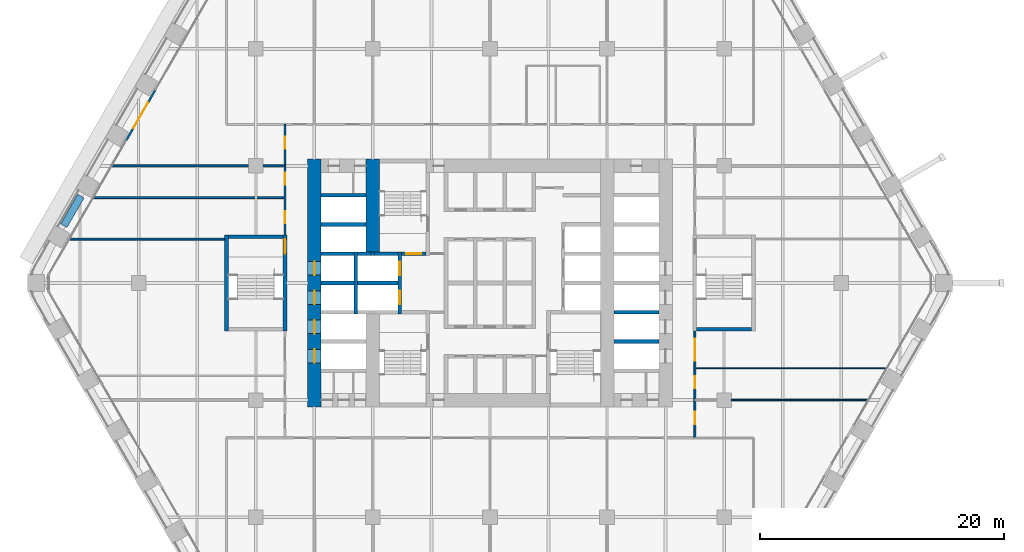
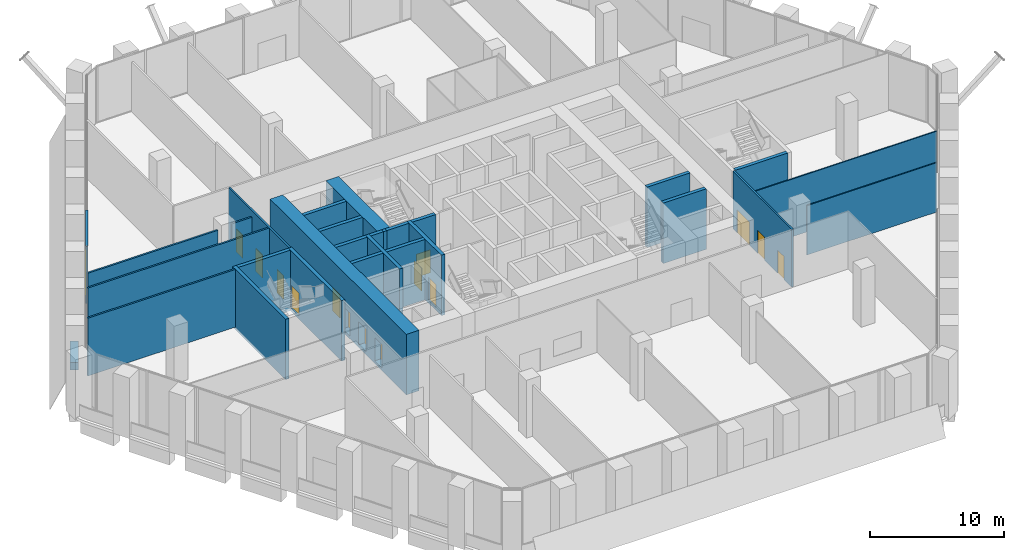
# One storey, part 19 of 29: 29 walls, 15 doors, 15 openings.
"""IFC4 building model written with IfcOpenShell, lengths in metres."""

from ifc_helpers import new_model, si_unit, direction, frame, frame_2d, origin, place, context, subcontext, project, spatial, rectangle, extrude, material, layer, layer_set, type_object, element, fill, save


model = new_model("IFC4")

# Units and contexts
model_context = context("Model", 3, precision=1e-05, world=origin(), true_north=direction((0.0, 1.0)))
body_context = subcontext(model_context, "Body", "Model", "MODEL_VIEW")
ifc_project = project(units=[si_unit("LENGTHUNIT", "METRE"), si_unit("AREAUNIT", "SQUARE_METRE"), si_unit("VOLUMEUNIT", "CUBIC_METRE"), si_unit("PLANEANGLEUNIT", "RADIAN"), si_unit("MASSUNIT", "GRAM", prefix="KILO")], contexts=[model_context])

# Site, building, storey
site_placement = place(None, origin())
site = spatial("IfcSite", under=ifc_project, at=site_placement, CompositionType="ELEMENT")
building_placement = place(site_placement, origin())
building = spatial("IfcBuilding", under=site, at=building_placement, Name="Kolab Exchange Tower", CompositionType="ELEMENT")
storey_placement = place(building_placement, frame((0.0, 0.0, 33.39990234375)))
storey = spatial("IfcBuildingStorey", under=building, at=storey_placement, Name="L06", CompositionType="ELEMENT", Elevation=33.39990234375)

# Wall, openings, doors
ifc_material_1 = material(Name="Concrete C80/95", Category="concrete")
ifc_layer_1 = layer(ifc_material_1, 1.10009765625)
ifc_layer_set_1 = layer_set([ifc_layer_1], Name="Concrete C80/95")
wall_type_1 = type_object("IfcWallType", Name="CORE WALL 1100 C80/95", PredefinedType="SHEAR", material=ifc_layer_set_1)
wall_1_placement = place(storey_placement, frame((-14.39990234375, -10.14990234375, -0.25), z_axis=(0.0, 0.0, 1.0), x_axis=(0.0, 1.0, 0.0)))
wall_1 = element("IfcWall", 1, at=wall_1_placement, inside=storey, type_object=wall_type_1, Name="wall/L06/core/057", PredefinedType="SHEAR", context=body_context, shape_type="SweptSolid", body=[
    extrude(rectangle(XDim=20.2998046875, YDim=1.10009765625, at=frame_2d((10.14990234375, 0.0))), origin(), (0.0, 0.0, 1.0), 5.5),
])
opening_1_placement = place(wall_1_placement, frame((3.60009765625, 0.0, 0.25)))
opening_1 = element("IfcOpeningElement", 2, at=opening_1_placement, cuts=wall_1, Name="Opening LD1-041", PredefinedType="OPENING", context=body_context, shape_type="SweptSolid", body=[
    extrude(rectangle(XDim=1.10009765625, YDim=2.10009765625, at=frame_2d((0.550048828125, 1.050048828125))), frame((0.0, 0.56005859375, 0.0), z_axis=(0.0, -1.0, 0.0), x_axis=(1.0, 0.0, 0.0)), (0.0, 0.0, 1.0), 1.1201171875),
])
opening_2_placement = place(wall_1_placement, frame((6.0, 0.0, 0.25)))
opening_2 = element("IfcOpeningElement", 3, at=opening_2_placement, cuts=wall_1, Name="Opening LD1-042", PredefinedType="OPENING", context=body_context, shape_type="SweptSolid", body=[
    extrude(rectangle(XDim=1.10009765625, YDim=2.10009765625, at=frame_2d((0.550048828125, 1.050048828125))), frame((0.0, 0.56005859375, 0.0), z_axis=(0.0, -1.0, 0.0), x_axis=(1.0, 0.0, 0.0)), (0.0, 0.0, 1.0), 1.1201171875),
])
opening_3_placement = place(wall_1_placement, frame((8.39990234375, 0.0, 0.25)))
opening_3 = element("IfcOpeningElement", 4, at=opening_3_placement, cuts=wall_1, Name="Opening LD1-043", PredefinedType="OPENING", context=body_context, shape_type="SweptSolid", body=[
    extrude(rectangle(XDim=1.10009765625, YDim=2.10009765625, at=frame_2d((0.550048828125, 1.050048828125))), frame((0.0, 0.56005859375, 0.0), z_axis=(0.0, -1.0, 0.0), x_axis=(1.0, 0.0, 0.0)), (0.0, 0.0, 1.0), 1.1201171875),
])
opening_4_placement = place(wall_1_placement, frame((10.800048828125, 0.0, 0.25)))
opening_4 = element("IfcOpeningElement", 5, at=opening_4_placement, cuts=wall_1, Name="Opening LD1-044", PredefinedType="OPENING", context=body_context, shape_type="SweptSolid", body=[
    extrude(rectangle(XDim=1.10009765625, YDim=2.10009765625, at=frame_2d((0.550048828125, 1.050048828125))), frame((0.0, 0.56005859375, 0.0), z_axis=(0.0, -1.0, 0.0), x_axis=(1.0, 0.0, 0.0)), (0.0, 0.0, 1.0), 1.1201171875),
])
ifc_material_2 = material(Name="Stainless steel 316", Category="steel")
door_type_1 = type_object("IfcDoorType", Name="LANDING DOOR 1100 PASSENGER", OperationType="DOUBLE_DOOR_SLIDING", PredefinedType="DOOR", material=ifc_material_2)
door_1_placement = place(opening_1_placement, origin())
door_1 = element("IfcDoor", 6, at=door_1_placement, inside=storey, type_object=door_type_1, Name="Landing door LR5", OperationType="DOUBLE_DOOR_SLIDING", OverallHeight=2.10009765625, OverallWidth=1.10009765625, PredefinedType="DOOR", context=body_context, shape_type="SweptSolid", body=[
    extrude(rectangle(XDim=1.10009765625, YDim=2.10009765625, at=frame_2d((0.550048828125, 1.050048828125))), frame((0.0, 0.02490234375, 0.0), z_axis=(0.0, -1.0, 0.0), x_axis=(1.0, 0.0, 0.0)), (0.0, 0.0, 1.0), 0.050048828125),
])
fill(opening_1, door_1)
door_2_placement = place(opening_2_placement, origin())
door_2 = element("IfcDoor", 7, at=door_2_placement, inside=storey, type_object=door_type_1, Name="Landing door LR6", OperationType="DOUBLE_DOOR_SLIDING", OverallHeight=2.10009765625, OverallWidth=1.10009765625, PredefinedType="DOOR", context=body_context, shape_type="SweptSolid", body=[
    extrude(rectangle(XDim=1.10009765625, YDim=2.10009765625, at=frame_2d((0.550048828125, 1.050048828125))), frame((0.0, 0.02490234375, 0.0), z_axis=(0.0, -1.0, 0.0), x_axis=(1.0, 0.0, 0.0)), (0.0, 0.0, 1.0), 0.050048828125),
])
fill(opening_2, door_2)
door_3_placement = place(opening_3_placement, origin())
door_3 = element("IfcDoor", 8, at=door_3_placement, inside=storey, type_object=door_type_1, Name="Landing door LR7", OperationType="DOUBLE_DOOR_SLIDING", OverallHeight=2.10009765625, OverallWidth=1.10009765625, PredefinedType="DOOR", context=body_context, shape_type="SweptSolid", body=[
    extrude(rectangle(XDim=1.10009765625, YDim=2.10009765625, at=frame_2d((0.550048828125, 1.050048828125))), frame((0.0, 0.02490234375, 0.0), z_axis=(0.0, -1.0, 0.0), x_axis=(1.0, 0.0, 0.0)), (0.0, 0.0, 1.0), 0.050048828125),
])
fill(opening_3, door_3)
door_4_placement = place(opening_4_placement, origin())
door_4 = element("IfcDoor", 9, at=door_4_placement, inside=storey, type_object=door_type_1, Name="Landing door LR8", OperationType="DOUBLE_DOOR_SLIDING", OverallHeight=2.10009765625, OverallWidth=1.10009765625, PredefinedType="DOOR", context=body_context, shape_type="SweptSolid", body=[
    extrude(rectangle(XDim=1.10009765625, YDim=2.10009765625, at=frame_2d((0.550048828125, 1.050048828125))), frame((0.0, 0.02490234375, 0.0), z_axis=(0.0, -1.0, 0.0), x_axis=(1.0, 0.0, 0.0)), (0.0, 0.0, 1.0), 0.050048828125),
])
fill(opening_4, door_4)

# Wall
wall_2_placement = place(storey_placement, frame((-9.60009765625, 2.550048828125, -0.25), z_axis=(0.0, 0.0, 1.0), x_axis=(0.0, 1.0, 0.0)))
element("IfcWall", 10, at=wall_2_placement, inside=storey, type_object=wall_type_1, Name="wall/L06/core/062", PredefinedType="SHEAR", context=body_context, shape_type="SweptSolid", body=[
    extrude(rectangle(XDim=7.599853515625, YDim=1.10009765625, at=frame_2d((3.7998046875, 0.0))), origin(), (0.0, 0.0, 1.0), 5.5),
])

# Wall, opening, door
ifc_material_3 = material(Name="Aluminium EN AW-6063 T6", Category="aluminium")
ifc_layer_2 = layer(ifc_material_3, 0.159912109375)
ifc_layer_set_2 = layer_set([ifc_layer_2], Name="Aluminium EN AW-6063 T6")
wall_type_2 = type_object("IfcWallType", Name="DOOR SURROUND WALL 160 ALUMINIUM FRAMED", PredefinedType="PARTITIONING", material=ifc_layer_set_2)
wall_3_placement = place(storey_placement, frame((-29.816650390625, 11.706787109375, 0.0), z_axis=(0.0, 0.0, 1.0), x_axis=(0.499978080042, 0.866038058908, 0.0)))
wall_3 = element("IfcWall", 11, at=wall_3_placement, inside=storey, type_object=wall_type_2, Name="Door surround wall", PredefinedType="PARTITIONING", context=body_context, shape_type="SweptSolid", body=[
    extrude(rectangle(XDim=4.739990234375, YDim=0.159912109375, at=frame_2d((2.3701171875, 0.0))), origin(), (0.0, 0.0, 1.0), 5.2001953125),
])
opening_5_placement = place(wall_3_placement, frame((1.169921875, 0.0, 0.0)))
opening_5 = element("IfcOpeningElement", 12, at=opening_5_placement, cuts=wall_3, Name="Opening GD1-028", PredefinedType="OPENING", context=body_context, shape_type="SweptSolid", body=[
    extrude(rectangle(XDim=2.39990234375, YDim=2.39990234375, at=frame_2d((1.199951171875, 1.199951171875))), frame((0.0, 0.08984375, 0.0), z_axis=(0.0, -1.0, 0.0), x_axis=(1.0, 0.0, 0.0)), (0.0, 0.0, 1.0), 0.179931640625),
])
door_type_2 = type_object("IfcDoorType", Name="LOGGIA SLIDING GLASS DOOR 2400 X 2400", OperationType="DOUBLE_DOOR_SINGLE_SWING", PredefinedType="DOOR", material=ifc_material_3)
door_5_placement = place(opening_5_placement, origin())
door_5 = element("IfcDoor", 13, at=door_5_placement, inside=storey, type_object=door_type_2, Name="Loggia door", OperationType="DOUBLE_DOOR_SLIDING", OverallHeight=2.39990234375, OverallWidth=2.39990234375, PredefinedType="DOOR", context=body_context, shape_type="SweptSolid", body=[
    extrude(rectangle(XDim=2.39990234375, YDim=2.39990234375, at=frame_2d((1.199951171875, 1.199951171875))), frame((0.0, 0.02490234375, 0.0), z_axis=(0.0, -1.0, 0.0), x_axis=(1.0, 0.0, 0.0)), (0.0, 0.0, 1.0), 0.050048828125),
])
fill(opening_5, door_5)

# Walls
ifc_material_4 = material(Name="Concrete C50/60", Category="concrete")
ifc_layer_3 = layer(ifc_material_4, 0.300048828125)
ifc_layer_set_3 = layer_set([ifc_layer_3], Name="Concrete C50/60")
wall_type_3 = type_object("IfcWallType", Name="LIFT SHAFT WALL 300 C50/60", PredefinedType="STANDARD", material=ifc_layer_set_3)
for number, where, z_axis, x_axis, name in (
    (14, (10.14990234375, -4.800048828125, -0.25), (0.0, 0.0, 1.0), (1.0, 0.0, 0.0), "wall/L06/core/011"),
    (15, (10.14990234375, -2.39990234375, -0.25), (0.0, 0.0, 1.0), (1.0, 0.0, 0.0), "wall/L06/core/023"),
):
    element("IfcWall", number, at=place(storey_placement, frame(where, z_axis=z_axis, x_axis=x_axis)), inside=storey, type_object=wall_type_3, Name=name, PredefinedType="STANDARD", context=body_context, shape_type="SweptSolid", body=[
        extrude(rectangle(XDim=3.7001953125, YDim=0.300048828125, at=frame_2d((1.85009765625, 0.0))), origin(), (0.0, 0.0, 1.0), 5.5),
    ])
wall_4_placement = place(storey_placement, frame((-13.85009765625, 0.0, -0.25), z_axis=(0.0, 0.0, 1.0), x_axis=(1.0, 0.0, 0.0)))
element("IfcWall", 16, at=wall_4_placement, inside=storey, type_object=wall_type_3, Name="wall/L06/core/024", PredefinedType="STANDARD", context=body_context, shape_type="SweptSolid", body=[
    extrude(rectangle(XDim=2.7001953125, YDim=0.300048828125, at=frame_2d((1.35009765625, 0.0))), origin(), (0.0, 0.0, 1.0), 5.5),
])
wall_5_placement = place(storey_placement, frame((-10.85009765625, 0.0, -0.25), z_axis=(0.0, 0.0, 1.0), x_axis=(1.0, 0.0, 0.0)))
element("IfcWall", 17, at=wall_5_placement, inside=storey, type_object=wall_type_3, Name="wall/L06/core/025", PredefinedType="STANDARD", context=body_context, shape_type="SweptSolid", body=[
    extrude(rectangle(XDim=3.300048828125, YDim=0.300048828125, at=frame_2d((1.64990234375, 0.0))), origin(), (0.0, 0.0, 1.0), 5.5),
])
wall_6_placement = place(storey_placement, frame((-13.85009765625, 2.39990234375, -0.25), z_axis=(0.0, 0.0, 1.0), x_axis=(1.0, 0.0, 0.0)))
element("IfcWall", 18, at=wall_6_placement, inside=storey, type_object=wall_type_3, Name="wall/L06/core/031", PredefinedType="STANDARD", context=body_context, shape_type="SweptSolid", body=[
    extrude(rectangle(XDim=2.7001953125, YDim=0.300048828125, at=frame_2d((1.35009765625, 0.0))), origin(), (0.0, 0.0, 1.0), 5.5),
])
wall_7_placement = place(storey_placement, frame((-10.85009765625, 2.39990234375, -0.25), z_axis=(0.0, 0.0, 1.0), x_axis=(1.0, 0.0, 0.0)))
element("IfcWall", 19, at=wall_7_placement, inside=storey, type_object=wall_type_3, Name="wall/L06/core/032", PredefinedType="STANDARD", context=body_context, shape_type="SweptSolid", body=[
    extrude(rectangle(XDim=1.10009765625, YDim=0.300048828125, at=frame_2d((0.550048828125, 0.0))), origin(), (0.0, 0.0, 1.0), 5.5),
])
for number, where, z_axis, x_axis, name in (
    (20, (-13.85009765625, 4.800048828125, -0.25), (0.0, 0.0, 1.0), (1.0, 0.0, 0.0), "wall/L06/core/042"),
    (21, (-13.85009765625, 7.199951171875, -0.25), (0.0, 0.0, 1.0), (1.0, 0.0, 0.0), "wall/L06/core/048"),
):
    element("IfcWall", number, at=place(storey_placement, frame(where, z_axis=z_axis, x_axis=x_axis)), inside=storey, type_object=wall_type_3, Name=name, PredefinedType="STANDARD", context=body_context, shape_type="SweptSolid", body=[
        extrude(rectangle(XDim=3.7001953125, YDim=0.300048828125, at=frame_2d((1.85009765625, 0.0))), origin(), (0.0, 0.0, 1.0), 5.5),
    ])
wall_8_placement = place(storey_placement, frame((-11.0, -2.550048828125, -0.25), z_axis=(0.0, 0.0, 1.0), x_axis=(0.0, 1.0, 0.0)))
element("IfcWall", 22, at=wall_8_placement, inside=storey, type_object=wall_type_3, Name="wall/L06/core/058", PredefinedType="STANDARD", context=body_context, shape_type="SweptSolid", body=[
    extrude(rectangle(XDim=5.10009765625, YDim=0.300048828125, at=frame_2d((2.550048828125, 0.0))), origin(), (0.0, 0.0, 1.0), 5.5),
])

# Wall, openings, doors
wall_9_placement = place(storey_placement, frame((-7.39990234375, -2.550048828125, -0.25), z_axis=(0.0, 0.0, 1.0), x_axis=(0.0, 1.0, 0.0)))
wall_9 = element("IfcWall", 23, at=wall_9_placement, inside=storey, type_object=wall_type_3, Name="wall/L06/core/063", PredefinedType="STANDARD", context=body_context, shape_type="SweptSolid", body=[
    extrude(rectangle(XDim=5.10009765625, YDim=0.300048828125, at=frame_2d((2.550048828125, 0.0))), origin(), (0.0, 0.0, 1.0), 5.5),
])
opening_6_placement = place(wall_9_placement, frame((0.800048828125, 0.0, 0.25)))
opening_6 = element("IfcOpeningElement", 24, at=opening_6_placement, cuts=wall_9, Name="Opening LD2-009", PredefinedType="OPENING", context=body_context, shape_type="SweptSolid", body=[
    extrude(rectangle(XDim=1.10009765625, YDim=2.10009765625, at=frame_2d((0.550048828125, 1.050048828125))), frame((0.0, 0.16015625, 0.0), z_axis=(0.0, -1.0, 0.0), x_axis=(1.0, 0.0, 0.0)), (0.0, 0.0, 1.0), 0.320068359375),
])
opening_7_placement = place(wall_9_placement, frame((3.199951171875, 0.0, 0.25)))
opening_7 = element("IfcOpeningElement", 25, at=opening_7_placement, cuts=wall_9, Name="Opening LD2-010", PredefinedType="OPENING", context=body_context, shape_type="SweptSolid", body=[
    extrude(rectangle(XDim=1.10009765625, YDim=2.10009765625, at=frame_2d((0.550048828125, 1.050048828125))), frame((0.0, 0.16015625, 0.0), z_axis=(0.0, -1.0, 0.0), x_axis=(1.0, 0.0, 0.0)), (0.0, 0.0, 1.0), 0.320068359375),
])
door_type_3 = type_object("IfcDoorType", Name="LANDING DOOR 1100 FIREFIGHTING", OperationType="DOUBLE_DOOR_SLIDING", PredefinedType="DOOR", material=ifc_material_2)
door_6_placement = place(opening_6_placement, origin())
door_6 = element("IfcDoor", 26, at=door_6_placement, inside=storey, type_object=door_type_3, Name="Landing door FF1", OperationType="DOUBLE_DOOR_SLIDING", OverallHeight=2.10009765625, OverallWidth=1.10009765625, PredefinedType="DOOR", context=body_context, shape_type="SweptSolid", body=[
    extrude(rectangle(XDim=1.10009765625, YDim=2.10009765625, at=frame_2d((0.550048828125, 1.050048828125))), frame((0.0, 0.02490234375, 0.0), z_axis=(0.0, -1.0, 0.0), x_axis=(1.0, 0.0, 0.0)), (0.0, 0.0, 1.0), 0.050048828125),
])
fill(opening_6, door_6)
door_7_placement = place(opening_7_placement, origin())
door_7 = element("IfcDoor", 27, at=door_7_placement, inside=storey, type_object=door_type_3, Name="Landing door FF2", OperationType="DOUBLE_DOOR_SLIDING", OverallHeight=2.10009765625, OverallWidth=1.10009765625, PredefinedType="DOOR", context=body_context, shape_type="SweptSolid", body=[
    extrude(rectangle(XDim=1.10009765625, YDim=2.10009765625, at=frame_2d((0.550048828125, 1.050048828125))), frame((0.0, 0.02490234375, 0.0), z_axis=(0.0, -1.0, 0.0), x_axis=(1.0, 0.0, 0.0)), (0.0, 0.0, 1.0), 0.050048828125),
])
fill(opening_7, door_7)

# Walls
ifc_material_5 = material(Name="Gypsum board", Category="gypsum")
ifc_layer_4 = layer(ifc_material_5, 0.10009765625)
ifc_layer_set_4 = layer_set([ifc_layer_4], Name="Gypsum board")
wall_type_4 = type_object("IfcWallType", Name="PARTITION 100", PredefinedType="PARTITIONING", material=ifc_layer_set_4)
wall_10_placement = place(storey_placement, frame((19.800048828125, -9.60009765625, 0.0), z_axis=(0.0, 0.0, 1.0), x_axis=(1.0, 0.0, 0.0)))
element("IfcWall", 28, at=wall_10_placement, inside=storey, type_object=wall_type_4, Name="Partition 033", PredefinedType="PARTITIONING", context=body_context, shape_type="SweptSolid", body=[
    extrude(rectangle(XDim=11.186767578125, YDim=0.10009765625, at=frame_2d((5.59326171875, 0.0))), origin(), (0.0, 0.0, 1.0), 4.488037109375),
])
wall_11_placement = place(storey_placement, frame((16.800048828125, -7.0, 0.0), z_axis=(0.0, 0.0, 1.0), x_axis=(1.0, 0.0, 0.0)))
element("IfcWall", 29, at=wall_11_placement, inside=storey, type_object=wall_type_4, Name="Partition 037", PredefinedType="PARTITIONING", context=body_context, shape_type="SweptSolid", body=[
    extrude(rectangle(XDim=15.687744140625, YDim=0.10009765625, at=frame_2d((7.84375, 0.0))), origin(), (0.0, 0.0, 1.0), 5.25),
])

# Wall, openings, doors
ifc_layer_5 = layer(ifc_material_5, 0.14990234375)
ifc_layer_set_5 = layer_set([ifc_layer_5], Name="Gypsum board")
wall_type_5 = type_object("IfcWallType", Name="PARTITION 150 FIRE-RATED", PredefinedType="PARTITIONING", material=ifc_layer_set_5)
wall_12_placement = place(storey_placement, frame((16.800048828125, -12.699951171875, 0.0), z_axis=(0.0, 0.0, 1.0), x_axis=(0.0, 1.0, 0.0)))
wall_12 = element("IfcWall", 30, at=wall_12_placement, inside=storey, type_object=wall_type_5, Name="Partition 002", PredefinedType="PARTITIONING", context=body_context, shape_type="SweptSolid", body=[
    extrude(rectangle(XDim=8.75, YDim=0.14990234375, at=frame_2d((4.375, 0.0))), origin(), (0.0, 0.0, 1.0), 5.25),
])
opening_8_placement = place(wall_12_placement, frame((1.1298828125, 0.0, 0.0)))
opening_8 = element("IfcOpeningElement", 31, at=opening_8_placement, cuts=wall_12, Name="Opening D1-084", PredefinedType="OPENING", context=body_context, shape_type="SweptSolid", body=[
    extrude(rectangle(XDim=1.0, YDim=2.10009765625, at=frame_2d((0.5, 1.050048828125))), frame((0.0, 0.0849609375, 0.0), z_axis=(0.0, -1.0, 0.0), x_axis=(1.0, 0.0, 0.0)), (0.0, 0.0, 1.0), 0.169921875),
])
opening_9_placement = place(wall_12_placement, frame((4.074951171875, 0.0, 0.0)))
opening_9 = element("IfcOpeningElement", 32, at=opening_9_placement, cuts=wall_12, Name="Opening D1-085", PredefinedType="OPENING", context=body_context, shape_type="SweptSolid", body=[
    extrude(rectangle(XDim=1.0, YDim=2.10009765625, at=frame_2d((0.5, 1.050048828125))), frame((0.0, 0.0849609375, 0.0), z_axis=(0.0, -1.0, 0.0), x_axis=(1.0, 0.0, 0.0)), (0.0, 0.0, 1.0), 0.169921875),
])
opening_10_placement = place(wall_12_placement, frame((6.324951171875, 0.0, 0.0)))
opening_10 = element("IfcOpeningElement", 33, at=opening_10_placement, cuts=wall_12, Name="Opening D2-018", PredefinedType="OPENING", context=body_context, shape_type="SweptSolid", body=[
    extrude(rectangle(XDim=1.800048828125, YDim=2.10009765625, at=frame_2d((0.89990234375, 1.050048828125))), frame((0.0, 0.0849609375, 0.0), z_axis=(0.0, -1.0, 0.0), x_axis=(1.0, 0.0, 0.0)), (0.0, 0.0, 1.0), 0.169921875),
])
ifc_material_6 = material(Name="Steel S235", Category="steel")
door_type_4 = type_object("IfcDoorType", Name="DOUBLE DOOR 1800 FD60", OperationType="DOUBLE_DOOR_SINGLE_SWING", PredefinedType="DOOR", material=ifc_material_6)
door_8_placement = place(opening_10_placement, frame((1.800048828125, 0.0, 0.0), z_axis=(0.0, 0.0, 1.0), x_axis=(-1.0, 0.0, 0.0)))
door_8 = element("IfcDoor", 34, at=door_8_placement, inside=storey, type_object=door_type_4, Name="Door L06-062", OperationType="SINGLE_SWING_LEFT", OverallHeight=2.10009765625, OverallWidth=1.800048828125, PredefinedType="DOOR", context=body_context, shape_type="SweptSolid", body=[
    extrude(rectangle(XDim=1.800048828125, YDim=2.10009765625, at=frame_2d((0.89990234375, 1.050048828125))), frame((0.0, 0.02490234375, 0.0), z_axis=(0.0, -1.0, 0.0), x_axis=(1.0, 0.0, 0.0)), (0.0, 0.0, 1.0), 0.050048828125),
])
fill(opening_10, door_8)
door_type_5 = type_object("IfcDoorType", Name="FLUSH DOOR 1000 FD60", OperationType="SINGLE_SWING_LEFT", PredefinedType="DOOR", material=ifc_material_6)
door_9_placement = place(opening_8_placement, frame((1.0, 0.0, 0.0), z_axis=(0.0, 0.0, 1.0), x_axis=(-1.0, 0.0, 0.0)))
door_9 = element("IfcDoor", 35, at=door_9_placement, inside=storey, type_object=door_type_5, Name="Door L06-060", OperationType="SINGLE_SWING_RIGHT", OverallHeight=2.10009765625, OverallWidth=1.0, PredefinedType="DOOR", context=body_context, shape_type="SweptSolid", body=[
    extrude(rectangle(XDim=1.0, YDim=2.10009765625, at=frame_2d((0.5, 1.050048828125))), frame((0.0, 0.02490234375, 0.0), z_axis=(0.0, -1.0, 0.0), x_axis=(1.0, 0.0, 0.0)), (0.0, 0.0, 1.0), 0.050048828125),
])
fill(opening_8, door_9)
door_10_placement = place(opening_9_placement, frame((1.0, 0.0, 0.0), z_axis=(0.0, 0.0, 1.0), x_axis=(-1.0, 0.0, 0.0)))
door_10 = element("IfcDoor", 36, at=door_10_placement, inside=storey, type_object=door_type_5, Name="Door L06-061", OperationType="SINGLE_SWING_RIGHT", OverallHeight=2.10009765625, OverallWidth=1.0, PredefinedType="DOOR", context=body_context, shape_type="SweptSolid", body=[
    extrude(rectangle(XDim=1.0, YDim=2.10009765625, at=frame_2d((0.5, 1.050048828125))), frame((0.0, 0.02490234375, 0.0), z_axis=(0.0, -1.0, 0.0), x_axis=(1.0, 0.0, 0.0)), (0.0, 0.0, 1.0), 0.050048828125),
])
fill(opening_9, door_10)

wall_13_placement = place(storey_placement, frame((-16.800048828125, 3.949951171875, 0.0), z_axis=(0.0, 0.0, 1.0), x_axis=(0.0, 1.0, 0.0)))
wall_13 = element("IfcWall", 37, at=wall_13_placement, inside=storey, type_object=wall_type_5, Name="Partition 027", PredefinedType="PARTITIONING", context=body_context, shape_type="SweptSolid", body=[
    extrude(rectangle(XDim=9.050048828125, YDim=0.14990234375, at=frame_2d((4.52490234375, 0.0))), origin(), (0.0, 0.0, 1.0), 5.25),
])
opening_11_placement = place(wall_13_placement, frame((0.949951171875, 0.0, 0.0)))
opening_11 = element("IfcOpeningElement", 38, at=opening_11_placement, cuts=wall_13, Name="Opening D1-080", PredefinedType="OPENING", context=body_context, shape_type="SweptSolid", body=[
    extrude(rectangle(XDim=1.0, YDim=2.10009765625, at=frame_2d((0.5, 1.050048828125))), frame((0.0, 0.0849609375, 0.0), z_axis=(0.0, -1.0, 0.0), x_axis=(1.0, 0.0, 0.0)), (0.0, 0.0, 1.0), 0.169921875),
])
opening_12_placement = place(wall_13_placement, frame((4.094970703125, 0.0, 0.0)))
opening_12 = element("IfcOpeningElement", 39, at=opening_12_placement, cuts=wall_13, Name="Opening D1-088", PredefinedType="OPENING", context=body_context, shape_type="SweptSolid", body=[
    extrude(rectangle(XDim=1.0, YDim=2.10009765625, at=frame_2d((0.5, 1.050048828125))), frame((0.0, 0.0849609375, 0.0), z_axis=(0.0, -1.0, 0.0), x_axis=(1.0, 0.0, 0.0)), (0.0, 0.0, 1.0), 0.169921875),
])
opening_13_placement = place(wall_13_placement, frame((7.050048828125, 0.0, 0.0)))
opening_13 = element("IfcOpeningElement", 40, at=opening_13_placement, cuts=wall_13, Name="Opening D1-082", PredefinedType="OPENING", context=body_context, shape_type="SweptSolid", body=[
    extrude(rectangle(XDim=1.0, YDim=2.10009765625, at=frame_2d((0.5, 1.050048828125))), frame((0.0, 0.0849609375, 0.0), z_axis=(0.0, -1.0, 0.0), x_axis=(1.0, 0.0, 0.0)), (0.0, 0.0, 1.0), 0.169921875),
])
door_11_placement = place(opening_11_placement, origin())
door_11 = element("IfcDoor", 41, at=door_11_placement, inside=storey, type_object=door_type_5, Name="Door L06-069", OperationType="SINGLE_SWING_RIGHT", OverallHeight=2.10009765625, OverallWidth=1.0, PredefinedType="DOOR", context=body_context, shape_type="SweptSolid", body=[
    extrude(rectangle(XDim=1.0, YDim=2.10009765625, at=frame_2d((0.5, 1.050048828125))), frame((0.0, 0.02490234375, 0.0), z_axis=(0.0, -1.0, 0.0), x_axis=(1.0, 0.0, 0.0)), (0.0, 0.0, 1.0), 0.050048828125),
])
fill(opening_11, door_11)
door_12_placement = place(opening_12_placement, origin())
door_12 = element("IfcDoor", 42, at=door_12_placement, inside=storey, type_object=door_type_5, Name="Door L06-070", OperationType="SINGLE_SWING_RIGHT", OverallHeight=2.10009765625, OverallWidth=1.0, PredefinedType="DOOR", context=body_context, shape_type="SweptSolid", body=[
    extrude(rectangle(XDim=1.0, YDim=2.10009765625, at=frame_2d((0.5, 1.050048828125))), frame((0.0, 0.02490234375, 0.0), z_axis=(0.0, -1.0, 0.0), x_axis=(1.0, 0.0, 0.0)), (0.0, 0.0, 1.0), 0.050048828125),
])
fill(opening_12, door_12)
door_13_placement = place(opening_13_placement, origin())
door_13 = element("IfcDoor", 43, at=door_13_placement, inside=storey, type_object=door_type_5, Name="Door L06-071", OperationType="SINGLE_SWING_RIGHT", OverallHeight=2.10009765625, OverallWidth=1.0, PredefinedType="DOOR", context=body_context, shape_type="SweptSolid", body=[
    extrude(rectangle(XDim=1.0, YDim=2.10009765625, at=frame_2d((0.5, 1.050048828125))), frame((0.0, 0.02490234375, 0.0), z_axis=(0.0, -1.0, 0.0), x_axis=(1.0, 0.0, 0.0)), (0.0, 0.0, 1.0), 0.050048828125),
])
fill(opening_13, door_13)

# Walls
wall_14_placement = place(storey_placement, frame((-34.450927734375, 3.60009765625, 0.0), z_axis=(0.0, 0.0, 1.0), x_axis=(1.0, 0.0, 0.0)))
element("IfcWall", 44, at=wall_14_placement, inside=storey, type_object=wall_type_5, Name="Partition 040", PredefinedType="PARTITIONING", context=body_context, shape_type="SweptSolid", body=[
    extrude(rectangle(XDim=12.700927734375, YDim=0.14990234375, at=frame_2d((6.3505859375, 0.0))), origin(), (0.0, 0.0, 1.0), 5.25),
])
wall_15_placement = place(storey_placement, frame((-32.48779296875, 7.0, 0.0), z_axis=(0.0, 0.0, 1.0), x_axis=(1.0, 0.0, 0.0)))
element("IfcWall", 45, at=wall_15_placement, inside=storey, type_object=wall_type_5, Name="Partition 041", PredefinedType="PARTITIONING", context=body_context, shape_type="SweptSolid", body=[
    extrude(rectangle(XDim=15.687744140625, YDim=0.14990234375, at=frame_2d((7.84375, 0.0))), origin(), (0.0, 0.0, 1.0), 5.25),
])
wall_16_placement = place(storey_placement, frame((-30.98681640625, 9.60009765625, 0.0), z_axis=(0.0, 0.0, 1.0), x_axis=(1.0, 0.0, 0.0)))
element("IfcWall", 46, at=wall_16_placement, inside=storey, type_object=wall_type_5, Name="Partition 044", PredefinedType="PARTITIONING", context=body_context, shape_type="SweptSolid", body=[
    extrude(rectangle(XDim=11.186767578125, YDim=0.14990234375, at=frame_2d((5.59326171875, 0.0))), origin(), (0.0, 0.0, 1.0), 4.488037109375),
])
wall_17_placement = place(storey_placement, frame((-18.60009765625, 9.60009765625, 0.0), z_axis=(0.0, 0.0, 1.0), x_axis=(1.0, 0.0, 0.0)))
element("IfcWall", 47, at=wall_17_placement, inside=storey, type_object=wall_type_5, Name="Partition 045", PredefinedType="PARTITIONING", context=body_context, shape_type="SweptSolid", body=[
    extrude(rectangle(XDim=1.800048828125, YDim=0.14990234375, at=frame_2d((0.89990234375, 0.0))), origin(), (0.0, 0.0, 1.0), 4.64208984375),
])
ifc_material_7 = material(Name="Granite facing", Category="masonry")
ifc_layer_6 = layer(ifc_material_7, 0.0400390625)
ifc_material_8 = material(Name="Concrete C40/50 precast", Category="concrete")
ifc_layer_7 = layer(ifc_material_8, 0.56005859375)
ifc_layer_set_6 = layer_set([ifc_layer_6, ifc_layer_7], Name="Concrete C40/50 precast")
wall_type_6 = type_object("IfcWallType", Name="PLANTER BOX 600 X 700 SOIL DEPTH 550", PredefinedType="USERDEFINED", material=ifc_layer_set_6)
wall_18_placement = place(storey_placement, frame((-34.93701171875, 4.697998046875, 0.0), z_axis=(0.0, 0.0, 1.0), x_axis=(0.49998411664, 0.866034573852, 0.0)))
element("IfcWall", 48, at=wall_18_placement, inside=storey, type_object=wall_type_6, Name="Planter", ObjectType="PLANTER", PredefinedType="USERDEFINED", context=body_context, shape_type="SweptSolid", body=[
    extrude(rectangle(XDim=2.7998046875, YDim=0.60009765625, at=frame_2d((1.39990234375, 0.0))), origin(), (0.0, 0.0, 1.0), 0.7001953125),
])
ifc_layer_8 = layer(ifc_material_4, 0.300048828125)
ifc_layer_set_7 = layer_set([ifc_layer_8], Name="Concrete C50/60")
wall_type_7 = type_object("IfcWallType", Name="STAIR ENCLOSURE WALL 300 C50/60", PredefinedType="STANDARD", material=ifc_layer_set_7)
wall_19_placement = place(storey_placement, frame((16.949951171875, -3.800048828125, -0.25), z_axis=(0.0, 0.0, 1.0), x_axis=(1.0, 0.0, 0.0)))
element("IfcWall", 49, at=wall_19_placement, inside=storey, type_object=wall_type_7, Name="wall/L06/core/013", PredefinedType="STANDARD", context=body_context, shape_type="SweptSolid", body=[
    extrude(rectangle(XDim=4.5, YDim=0.300048828125, at=frame_2d((2.25, 0.0))), origin(), (0.0, 0.0, 1.0), 5.5),
])
wall_20_placement = place(storey_placement, frame((-9.449951171875, 2.39990234375, -0.25), z_axis=(0.0, 0.0, 1.0), x_axis=(1.0, 0.0, 0.0)))
element("IfcWall", 50, at=wall_20_placement, inside=storey, type_object=wall_type_7, Name="wall/L06/core/033", PredefinedType="STANDARD", context=body_context, shape_type="SweptSolid", body=[
    extrude(rectangle(XDim=1.89990234375, YDim=0.300048828125, at=frame_2d((0.949951171875, 0.0))), origin(), (0.0, 0.0, 1.0), 5.5),
])

# Wall, opening, door
wall_21_placement = place(storey_placement, frame((-7.25, 2.39990234375, -0.25), z_axis=(0.0, 0.0, 1.0), x_axis=(1.0, 0.0, 0.0)))
wall_21 = element("IfcWall", 51, at=wall_21_placement, inside=storey, type_object=wall_type_7, Name="wall/L06/core/034", PredefinedType="STANDARD", context=body_context, shape_type="SweptSolid", body=[
    extrude(rectangle(XDim=2.0, YDim=0.300048828125, at=frame_2d((1.0, 0.0))), origin(), (0.0, 0.0, 1.0), 5.5),
])
opening_14_placement = place(wall_21_placement, frame((0.39990234375, 0.0, 0.25)))
opening_14 = element("IfcOpeningElement", 52, at=opening_14_placement, cuts=wall_21, Name="Opening D4-019", PredefinedType="OPENING", context=body_context, shape_type="SweptSolid", body=[
    extrude(rectangle(XDim=1.199951171875, YDim=2.10009765625, at=frame_2d((0.60009765625, 1.050048828125))), frame((0.0, 0.16015625, 0.0), z_axis=(0.0, -1.0, 0.0), x_axis=(1.0, 0.0, 0.0)), (0.0, 0.0, 1.0), 0.320068359375),
])
door_type_6 = type_object("IfcDoorType", Name="STAIR DOOR 1200 EI 120", OperationType="SINGLE_SWING_LEFT", PredefinedType="DOOR", material=ifc_material_6)
door_14_placement = place(opening_14_placement, origin())
door_14 = element("IfcDoor", 53, at=door_14_placement, inside=storey, type_object=door_type_6, Name="Stair 1 door", OperationType="SINGLE_SWING_RIGHT", OverallHeight=2.10009765625, OverallWidth=1.199951171875, PredefinedType="DOOR", context=body_context, shape_type="SweptSolid", body=[
    extrude(rectangle(XDim=1.199951171875, YDim=2.10009765625, at=frame_2d((0.60009765625, 1.050048828125))), frame((0.0, 0.02490234375, 0.0), z_axis=(0.0, -1.0, 0.0), x_axis=(1.0, 0.0, 0.0)), (0.0, 0.0, 1.0), 0.050048828125),
])
fill(opening_14, door_14)

# Walls
wall_22_placement = place(storey_placement, frame((-21.449951171875, 3.800048828125, -0.25), z_axis=(0.0, 0.0, 1.0), x_axis=(1.0, 0.0, 0.0)))
element("IfcWall", 54, at=wall_22_placement, inside=storey, type_object=wall_type_7, Name="wall/L06/core/040", PredefinedType="STANDARD", context=body_context, shape_type="SweptSolid", body=[
    extrude(rectangle(XDim=4.5, YDim=0.300048828125, at=frame_2d((2.25, 0.0))), origin(), (0.0, 0.0, 1.0), 5.5),
])
wall_23_placement = place(storey_placement, frame((-21.60009765625, -3.949951171875, -0.25), z_axis=(0.0, 0.0, 1.0), x_axis=(0.0, 1.0, 0.0)))
element("IfcWall", 55, at=wall_23_placement, inside=storey, type_object=wall_type_7, Name="wall/L06/core/055", PredefinedType="STANDARD", context=body_context, shape_type="SweptSolid", body=[
    extrude(rectangle(XDim=7.89990234375, YDim=0.300048828125, at=frame_2d((3.949951171875, 0.0))), origin(), (0.0, 0.0, 1.0), 5.5),
])

# Wall, opening, door
wall_24_placement = place(storey_placement, frame((-16.800048828125, -3.949951171875, -0.25), z_axis=(0.0, 0.0, 1.0), x_axis=(0.0, 1.0, 0.0)))
wall_24 = element("IfcWall", 56, at=wall_24_placement, inside=storey, type_object=wall_type_7, Name="wall/L06/core/056", PredefinedType="STANDARD", context=body_context, shape_type="SweptSolid", body=[
    extrude(rectangle(XDim=7.89990234375, YDim=0.300048828125, at=frame_2d((3.949951171875, 0.0))), origin(), (0.0, 0.0, 1.0), 5.5),
])
opening_15_placement = place(wall_24_placement, frame((6.35009765625, 0.0, 0.25)))
opening_15 = element("IfcOpeningElement", 57, at=opening_15_placement, cuts=wall_24, Name="Opening D4-024", PredefinedType="OPENING", context=body_context, shape_type="SweptSolid", body=[
    extrude(rectangle(XDim=1.199951171875, YDim=2.10009765625, at=frame_2d((0.60009765625, 1.050048828125))), frame((0.0, 0.16015625, 0.0), z_axis=(0.0, -1.0, 0.0), x_axis=(1.0, 0.0, 0.0)), (0.0, 0.0, 1.0), 0.320068359375),
])
door_15_placement = place(opening_15_placement, origin())
door_15 = element("IfcDoor", 58, at=door_15_placement, inside=storey, type_object=door_type_6, Name="Stair 5 door", OperationType="SINGLE_SWING_RIGHT", OverallHeight=2.10009765625, OverallWidth=1.199951171875, PredefinedType="DOOR", context=body_context, shape_type="SweptSolid", body=[
    extrude(rectangle(XDim=1.199951171875, YDim=2.10009765625, at=frame_2d((0.60009765625, 1.050048828125))), frame((0.0, 0.02490234375, 0.0), z_axis=(0.0, -1.0, 0.0), x_axis=(1.0, 0.0, 0.0)), (0.0, 0.0, 1.0), 0.050048828125),
])
fill(opening_15, door_15)

# Wall
wall_25_placement = place(storey_placement, frame((-9.60009765625, 2.25, -0.25), z_axis=(0.0, 0.0, 1.0), x_axis=(0.0, 1.0, 0.0)))
element("IfcWall", 59, at=wall_25_placement, inside=storey, type_object=wall_type_7, Name="wall/L06/core/061", PredefinedType="STANDARD", context=body_context, shape_type="SweptSolid", body=[
    extrude(rectangle(XDim=0.300048828125, YDim=0.300048828125, at=frame_2d((0.14990234375, 0.0))), origin(), (0.0, 0.0, 1.0), 5.5),
])

save(model, "model.ifc")
